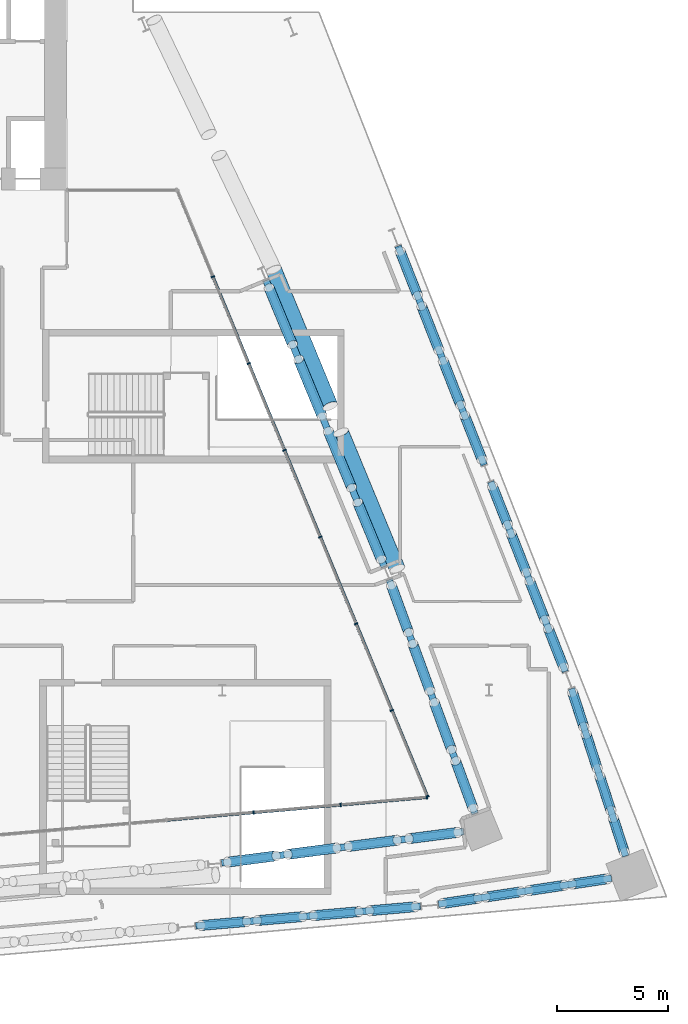
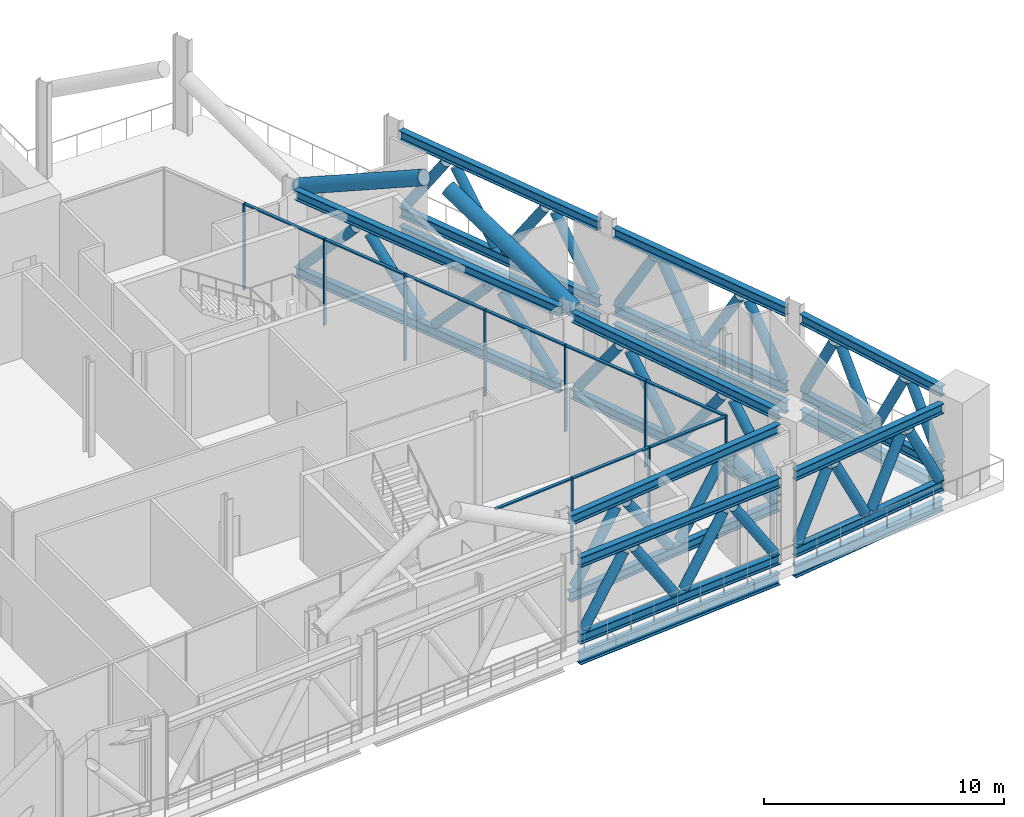
# One storey, part 12 of 42: 69 members, 5 beams, 2 elements without a shape of their own.
"""IFC4 building model written with IfcOpenShell, lengths in metres."""

from ifc_helpers import new_model, si_unit, direction, frame, origin, origin_2d, place, context, subcontext, project, spatial, rectangle, hollow_circle, i_section, extrude, material, material_profile, profile_set, type_object, element, aggregate, save


model = new_model("IFC4")

# Units and contexts
model_context = context("Model", 3, precision=1e-05, world=origin(), true_north=direction((0.0, 1.0)))
body_context = subcontext(model_context, "Body", "Model", "MODEL_VIEW")
ifc_project = project(units=[si_unit("LENGTHUNIT", "METRE"), si_unit("AREAUNIT", "SQUARE_METRE"), si_unit("VOLUMEUNIT", "CUBIC_METRE"), si_unit("PLANEANGLEUNIT", "RADIAN"), si_unit("MASSUNIT", "GRAM", prefix="KILO")], contexts=[model_context])

# Site, building, storey
site_placement = place(None, origin())
site = spatial("IfcSite", under=ifc_project, at=site_placement, CompositionType="ELEMENT")
building_placement = place(site_placement, origin())
building = spatial("IfcBuilding", under=site, at=building_placement, Name="Wharfspan Tower", CompositionType="ELEMENT")
storey_placement = place(building_placement, frame((0.0, 0.0, 147.100098)))
storey = spatial("IfcBuildingStorey", under=building, at=storey_placement, Name="L35", CompositionType="ELEMENT", Elevation=147.100098)

# Beams
ifc_material_1 = material(Name="Steel S355J2", Category="steel")
ifc_material_profile_1 = material_profile(ifc_material_1, i_section(OverallWidth=0.300049, OverallDepth=0.600098, WebThickness=0.015381, FlangeThickness=0.030029, FilletRadius=0.0271, at=origin_2d()))
ifc_profile_set_1 = profile_set([ifc_material_profile_1], Name="Steel S355J2")
beam_type = type_object("IfcBeamType", Name="Edge beam HEB 600", PredefinedType="SPANDREL", material=ifc_profile_set_1)
beam_1_placement = place(storey_placement, frame((70.805664, 0.887695, -0.75), z_axis=(0.996194, 0.087159, 0.0), x_axis=(-0.087159, 0.996194, 0.0)))
element("IfcBeam", 1, at=beam_1_placement, inside=storey, type_object=beam_type, Name="Edge beam S2 L35 PS2.2 to PS2.3", PredefinedType="SPANDREL", context=body_context, shape_type="SweptSolid", body=[
    extrude(i_section(OverallWidth=0.300049, OverallDepth=0.600098, WebThickness=0.015381, FlangeThickness=0.030029, FilletRadius=0.0271, at=origin_2d()), origin(), (0.0, 0.0, 1.0), 10.159424),
])
beam_2_placement = place(storey_placement, frame((81.727295, 1.868408, -0.75), z_axis=(0.988926, 0.148412, 0.0), x_axis=(-0.148412, 0.988926, 0.0)))
element("IfcBeam", 2, at=beam_2_placement, inside=storey, type_object=beam_type, Name="Edge beam S2 L35 PS2.3 to MC4", PredefinedType="SPANDREL", context=body_context, shape_type="SweptSolid", body=[
    extrude(i_section(OverallWidth=0.300049, OverallDepth=0.600098, WebThickness=0.015381, FlangeThickness=0.030029, FilletRadius=0.0271, at=origin_2d()), origin(), (0.0, 0.0, 1.0), 7.87793),
])
beam_3_placement = place(storey_placement, frame((90.150879, 4.02832, -0.75), z_axis=(-0.307851, 0.951434, 0.0), x_axis=(-0.951434, -0.307851, 0.0)))
element("IfcBeam", 3, at=beam_3_placement, inside=storey, type_object=beam_type, Name="Edge beam E L35 MC4 to PE.1", PredefinedType="SPANDREL", context=body_context, shape_type="SweptSolid", body=[
    extrude(i_section(OverallWidth=0.300049, OverallDepth=0.600098, WebThickness=0.015381, FlangeThickness=0.030029, FilletRadius=0.0271, at=origin_2d()), origin(), (0.0, 0.0, 1.0), 7.924805),
])
beam_4_placement = place(storey_placement, frame((87.439453, 12.327637, -0.75), z_axis=(-0.365779, 0.930702, 0.0), x_axis=(-0.930702, -0.365779, 0.0)))
element("IfcBeam", 4, at=beam_4_placement, inside=storey, type_object=beam_type, Name="Edge beam E L35 PE.1 to PE.2", PredefinedType="SPANDREL", context=body_context, shape_type="SweptSolid", body=[
    extrude(i_section(OverallWidth=0.300049, OverallDepth=0.600098, WebThickness=0.015381, FlangeThickness=0.030029, FilletRadius=0.0271, at=origin_2d()), origin(), (0.0, 0.0, 1.0), 9.184814),
])
beam_5_placement = place(storey_placement, frame((83.785156, 21.625977, -0.75), z_axis=(-0.365789, 0.930698, 0.0), x_axis=(-0.930698, -0.365789, 0.0)))
element("IfcBeam", 5, at=beam_5_placement, inside=storey, type_object=beam_type, Name="Edge beam E L35 PE.2 to PE.3", PredefinedType="SPANDREL", context=body_context, shape_type="SweptSolid", body=[
    extrude(i_section(OverallWidth=0.300049, OverallDepth=0.600098, WebThickness=0.015381, FlangeThickness=0.030029, FilletRadius=0.0271, at=origin_2d()), origin(), (0.0, 0.0, 1.0), 10.584961),
])

# Curtain wall, members
ifc_material_2 = material(Name="Aluminium 6063-T6", Category="aluminium")
curtain_wall_type = type_object("IfcCurtainWallType", Name="CURTAIN WALL BAND RECESS", PredefinedType="NOTDEFINED", material=ifc_material_2)
curtain_wall_1_placement = place(storey_placement, origin())
curtain_wall_1 = element("IfcCurtainWall", 6, at=curtain_wall_1_placement, inside=storey, type_object=curtain_wall_type, Name="Recess glazing R5", PredefinedType="NOTDEFINED")
ifc_material_profile_2 = material_profile(ifc_material_2, rectangle(XDim=0.159912, YDim=0.060059, at=origin_2d()))
ifc_profile_set_2 = profile_set([ifc_material_profile_2], Name="Aluminium 6063-T6")
member_type_1 = type_object("IfcMemberType", Name="MULLION BAND RECESS 60x160", PredefinedType="MULLION", material=ifc_profile_set_2)
member_1_placement = place(storey_placement, frame((71.578125, 30.097412, 0.0), z_axis=(0.0, 0.0, 1.0), x_axis=(0.924325, 0.381602, 0.0)))
member_1 = element("IfcMember", 7, at=member_1_placement, type_object=member_type_1, Name="Recess glazing R5 mullion 2", PredefinedType="MULLION", context=body_context, shape_type="SweptSolid", body=[
    extrude(rectangle(XDim=0.159912, YDim=0.060059, at=origin_2d()), origin(), (0.0, 0.0, 1.0), 4.399902),
])
member_2_placement = place(storey_placement, frame((73.189209, 26.19458, 0.0), z_axis=(0.0, 0.0, 1.0), x_axis=(0.924325, 0.381602, 0.0)))
member_2 = element("IfcMember", 8, at=member_2_placement, type_object=member_type_1, Name="Recess glazing R5 mullion 3", PredefinedType="MULLION", context=body_context, shape_type="SweptSolid", body=[
    extrude(rectangle(XDim=0.159912, YDim=0.060059, at=origin_2d()), origin(), (0.0, 0.0, 1.0), 4.399902),
])
member_3_placement = place(storey_placement, frame((74.800537, 22.291992, 0.0), z_axis=(0.0, 0.0, 1.0), x_axis=(0.924325, 0.381602, 0.0)))
member_3 = element("IfcMember", 9, at=member_3_placement, type_object=member_type_1, Name="Recess glazing R5 mullion 4", PredefinedType="MULLION", context=body_context, shape_type="SweptSolid", body=[
    extrude(rectangle(XDim=0.159912, YDim=0.060059, at=origin_2d()), origin(), (0.0, 0.0, 1.0), 4.399902),
])
member_4_placement = place(storey_placement, frame((76.411621, 18.389404, 0.0), z_axis=(0.0, 0.0, 1.0), x_axis=(0.924325, 0.381602, 0.0)))
member_4 = element("IfcMember", 10, at=member_4_placement, type_object=member_type_1, Name="Recess glazing R5 mullion 5", PredefinedType="MULLION", context=body_context, shape_type="SweptSolid", body=[
    extrude(rectangle(XDim=0.159912, YDim=0.060059, at=origin_2d()), origin(), (0.0, 0.0, 1.0), 4.399902),
])
member_5_placement = place(storey_placement, frame((78.022949, 14.486816, 0.0), z_axis=(0.0, 0.0, 1.0), x_axis=(0.924325, 0.381602, 0.0)))
member_5 = element("IfcMember", 11, at=member_5_placement, type_object=member_type_1, Name="Recess glazing R5 mullion 6", PredefinedType="MULLION", context=body_context, shape_type="SweptSolid", body=[
    extrude(rectangle(XDim=0.159912, YDim=0.060059, at=origin_2d()), origin(), (0.0, 0.0, 1.0), 4.399902),
])
member_6_placement = place(storey_placement, frame((79.634033, 10.583984, 0.0), z_axis=(0.0, 0.0, 1.0), x_axis=(0.924325, 0.381602, 0.0)))
member_6 = element("IfcMember", 12, at=member_6_placement, type_object=member_type_1, Name="Recess glazing R5 mullion 7", PredefinedType="MULLION", context=body_context, shape_type="SweptSolid", body=[
    extrude(rectangle(XDim=0.159912, YDim=0.060059, at=origin_2d()), origin(), (0.0, 0.0, 1.0), 4.399902),
])
member_7_placement = place(storey_placement, frame((81.233887, 6.709229, 0.0), z_axis=(0.0, 0.0, 1.0), x_axis=(0.924325, 0.381602, 0.0)))
member_7 = element("IfcMember", 13, at=member_7_placement, type_object=member_type_1, Name="Recess glazing R5 mullion 8", PredefinedType="MULLION", context=body_context, shape_type="SweptSolid", body=[
    extrude(rectangle(XDim=0.159912, YDim=0.060059, at=origin_2d()), origin(), (0.0, 0.0, 1.0), 4.399902),
])

curtain_wall_2_placement = place(storey_placement, origin())
curtain_wall_2 = element("IfcCurtainWall", 14, at=curtain_wall_2_placement, inside=storey, type_object=curtain_wall_type, Name="Recess glazing R6", PredefinedType="NOTDEFINED")
member_8_placement = place(storey_placement, frame((81.215332, 6.678711, 0.0), z_axis=(0.0, 0.0, 1.0), x_axis=(0.087156, -0.996198, 0.0)))
member_8 = element("IfcMember", 15, at=member_8_placement, type_object=member_type_1, Name="Recess glazing R6 mullion 1", PredefinedType="MULLION", context=body_context, shape_type="SweptSolid", body=[
    extrude(rectangle(XDim=0.159912, YDim=0.060059, at=origin_2d()), origin(), (0.0, 0.0, 1.0), 4.399902),
])
member_9_placement = place(storey_placement, frame((77.329102, 6.338867, 0.0), z_axis=(0.0, 0.0, 1.0), x_axis=(0.087156, -0.996198, 0.0)))
member_9 = element("IfcMember", 16, at=member_9_placement, type_object=member_type_1, Name="Recess glazing R6 mullion 2", PredefinedType="MULLION", context=body_context, shape_type="SweptSolid", body=[
    extrude(rectangle(XDim=0.159912, YDim=0.060059, at=origin_2d()), origin(), (0.0, 0.0, 1.0), 4.399902),
])
member_10_placement = place(storey_placement, frame((73.413086, 5.996094, 0.0), z_axis=(0.0, 0.0, 1.0), x_axis=(0.087156, -0.996198, 0.0)))
member_10 = element("IfcMember", 17, at=member_10_placement, type_object=member_type_1, Name="Recess glazing R6 mullion 3", PredefinedType="MULLION", context=body_context, shape_type="SweptSolid", body=[
    extrude(rectangle(XDim=0.159912, YDim=0.060059, at=origin_2d()), origin(), (0.0, 0.0, 1.0), 4.399902),
])

# Members
ifc_material_3 = material(Name="Steel S460NH", Category="steel")
ifc_material_profile_3 = material_profile(ifc_material_3, hollow_circle(Radius=0.355469, WallThickness=0.035889, at=origin_2d()))
ifc_profile_set_3 = profile_set([ifc_material_profile_3], Name="Steel S460NH")
member_type_2 = type_object("IfcMemberType", Name="Mega brace CHS 711x36", PredefinedType="BRACE", material=ifc_profile_set_3)
member_11_placement = place(storey_placement, frame((79.876465, 16.954346, 4.099854), z_axis=(-0.34204, 0.82855, 0.443298), x_axis=(-0.924336, -0.38158, -4e-06)))
element("IfcMember", 18, at=member_11_placement, inside=storey, type_object=member_type_2, Name="Mega brace E5 L36 part 1", PredefinedType="BRACE", context=body_context, shape_type="SweptSolid", body=[
    extrude(hollow_circle(Radius=0.355469, WallThickness=0.035889, at=origin_2d()), origin(), (0.0, 0.0, 1.0), 7.406982),
])
member_12_placement = place(storey_placement, frame((74.320557, 30.411865, 4.099854), z_axis=(0.342079, -0.828531, 0.443305), x_axis=(0.924316, 0.381624, -4e-06)))
element("IfcMember", 19, at=member_12_placement, inside=storey, type_object=member_type_2, Name="Mega brace E5 L36 part 3", PredefinedType="BRACE", context=body_context, shape_type="SweptSolid", body=[
    extrude(hollow_circle(Radius=0.355469, WallThickness=0.035889, at=origin_2d()), origin(), (0.0, 0.0, 1.0), 7.406738),
])

# Member
ifc_material_profile_4 = material_profile(ifc_material_2, rectangle(XDim=0.139893, YDim=0.070068, at=origin_2d()))
ifc_profile_set_4 = profile_set([ifc_material_profile_4], Name="Aluminium 6063-T6")
member_type_3 = type_object("IfcMemberType", Name="TRANSOM BAND RECESS 70x140", PredefinedType="USERDEFINED", material=ifc_profile_set_4)
member_13_placement = place(storey_placement, frame((71.5896, 30.06958, 4.36499), z_axis=(0.381623, -0.924318, 0.0), x_axis=(0.924318, 0.381623, 0.0)))
member_13 = element("IfcMember", 20, at=member_13_placement, type_object=member_type_3, Name="Recess glazing R5 transom 2", ObjectType="TRANSOM", PredefinedType="USERDEFINED", context=body_context, shape_type="SweptSolid", body=[
    extrude(rectangle(XDim=0.139893, YDim=0.070068, at=origin_2d()), origin(), (0.0, 0.0, 1.0), 4.162109),
])

member_14_placement = place(storey_placement, frame((73.200684, 26.166992, 4.36499), z_axis=(0.381623, -0.924318, 0.0), x_axis=(0.924318, 0.381623, 0.0)))
member_14 = element("IfcMember", 21, at=member_14_placement, type_object=member_type_3, Name="Recess glazing R5 transom 3", ObjectType="TRANSOM", PredefinedType="USERDEFINED", context=body_context, shape_type="SweptSolid", body=[
    extrude(rectangle(XDim=0.139893, YDim=0.070068, at=origin_2d()), origin(), (0.0, 0.0, 1.0), 4.162109),
])

member_15_placement = place(storey_placement, frame((74.812012, 22.264404, 4.36499), z_axis=(0.381573, -0.924339, 0.0), x_axis=(0.924339, 0.381573, 0.0)))
member_15 = element("IfcMember", 22, at=member_15_placement, type_object=member_type_3, Name="Recess glazing R5 transom 4", ObjectType="TRANSOM", PredefinedType="USERDEFINED", context=body_context, shape_type="SweptSolid", body=[
    extrude(rectangle(XDim=0.139893, YDim=0.070068, at=origin_2d()), origin(), (0.0, 0.0, 1.0), 4.162109),
])

member_16_placement = place(storey_placement, frame((76.423096, 18.361572, 4.36499), z_axis=(0.381623, -0.924318, 0.0), x_axis=(0.924318, 0.381623, 0.0)))
member_16 = element("IfcMember", 23, at=member_16_placement, type_object=member_type_3, Name="Recess glazing R5 transom 5", ObjectType="TRANSOM", PredefinedType="USERDEFINED", context=body_context, shape_type="SweptSolid", body=[
    extrude(rectangle(XDim=0.139893, YDim=0.070068, at=origin_2d()), origin(), (0.0, 0.0, 1.0), 4.162109),
])

member_17_placement = place(storey_placement, frame((78.034424, 14.458984, 4.36499), z_axis=(0.381573, -0.924339, 0.0), x_axis=(0.924339, 0.381573, 0.0)))
member_17 = element("IfcMember", 24, at=member_17_placement, type_object=member_type_3, Name="Recess glazing R5 transom 6", ObjectType="TRANSOM", PredefinedType="USERDEFINED", context=body_context, shape_type="SweptSolid", body=[
    extrude(rectangle(XDim=0.139893, YDim=0.070068, at=origin_2d()), origin(), (0.0, 0.0, 1.0), 4.162109),
])

member_18_placement = place(storey_placement, frame((79.645508, 10.556396, 4.36499), z_axis=(0.381605, -0.924325, 0.0), x_axis=(0.924325, 0.381605, 0.0)))
member_18 = element("IfcMember", 25, at=member_18_placement, type_object=member_type_3, Name="Recess glazing R5 transom 7", ObjectType="TRANSOM", PredefinedType="USERDEFINED", context=body_context, shape_type="SweptSolid", body=[
    extrude(rectangle(XDim=0.139893, YDim=0.070068, at=origin_2d()), origin(), (0.0, 0.0, 1.0), 4.132324),
])

aggregate(curtain_wall_1, [member_1, member_2, member_3, member_4, member_5, member_6, member_7, member_13, member_14, member_15, member_16, member_17, member_18])

member_19_placement = place(storey_placement, frame((81.185547, 6.67627, 4.36499), z_axis=(-0.996196, -0.087143, 0.0), x_axis=(0.087143, -0.996196, 0.0)))
member_19 = element("IfcMember", 26, at=member_19_placement, type_object=member_type_3, Name="Recess glazing R6 transom 1", ObjectType="TRANSOM", PredefinedType="USERDEFINED", context=body_context, shape_type="SweptSolid", body=[
    extrude(rectangle(XDim=0.139893, YDim=0.070068, at=origin_2d()), origin(), (0.0, 0.0, 1.0), 3.841064),
])

member_20_placement = place(storey_placement, frame((77.299316, 6.336182, 4.36499), z_axis=(-0.996195, -0.087158, 0.0), x_axis=(0.087158, -0.996195, 0.0)))
member_20 = element("IfcMember", 27, at=member_20_placement, type_object=member_type_3, Name="Recess glazing R6 transom 2", ObjectType="TRANSOM", PredefinedType="USERDEFINED", context=body_context, shape_type="SweptSolid", body=[
    extrude(rectangle(XDim=0.139893, YDim=0.070068, at=origin_2d()), origin(), (0.0, 0.0, 1.0), 3.871094),
])

member_21_placement = place(storey_placement, frame((73.383057, 5.993652, 4.36499), z_axis=(-0.996195, -0.087158, 0.0), x_axis=(0.087158, -0.996195, 0.0)))
member_21 = element("IfcMember", 28, at=member_21_placement, type_object=member_type_3, Name="Recess glazing R6 transom 3", ObjectType="TRANSOM", PredefinedType="USERDEFINED", context=body_context, shape_type="SweptSolid", body=[
    extrude(rectangle(XDim=0.139893, YDim=0.070068, at=origin_2d()), origin(), (0.0, 0.0, 1.0), 3.871094),
])

aggregate(curtain_wall_2, [member_8, member_9, member_10, member_19, member_20, member_21])

# Members
ifc_material_profile_5 = material_profile(ifc_material_1, i_section(OverallWidth=0.300049, OverallDepth=0.5, WebThickness=0.014404, FlangeThickness=0.028076, FilletRadius=0.0271, at=origin_2d()))
ifc_profile_set_5 = profile_set([ifc_material_profile_5], Name="Steel S355J2")
member_type_4 = type_object("IfcMemberType", Name="Truss chord HEB 500", PredefinedType="CHORD", material=ifc_profile_set_5)
for number, where, z_axis, x_axis, name in (
    (29, (71.969727, 3.724609, 4.149902), (0.991763, 0.128083, 0.0), (-0.128083, 0.991763, 0.0), "Belt truss chord T L35 S2 PS2.2 to MC4"),
    (30, (71.969727, 3.724609, 0.25), (0.991763, 0.128083, 0.0), (-0.128083, 0.991763, 0.0), "Belt truss chord B L35 S2 PS2.2 to MC4"),
):
    element("IfcMember", number, at=place(storey_placement, frame(where, z_axis=z_axis, x_axis=x_axis)), inside=storey, type_object=member_type_4, Name=name, PredefinedType="CHORD", context=body_context, shape_type="SweptSolid", body=[
        extrude(i_section(OverallWidth=0.300049, OverallDepth=0.5, WebThickness=0.014404, FlangeThickness=0.028076, FilletRadius=0.0271, at=origin_2d()), origin(), (0.0, 0.0, 1.0), 10.983154),
    ])
for number, where, z_axis, x_axis, name in (
    (31, (83.374512, 5.935547, 4.149902), (-0.343897, 0.939008, 0.0), (-0.939008, -0.343897, 0.0), "Belt truss chord T L35 E MC4 to PE.1"),
    (32, (83.374512, 5.935547, 0.25), (-0.343897, 0.939008, 0.0), (-0.939008, -0.343897, 0.0), "Belt truss chord B L35 E MC4 to PE.1"),
):
    element("IfcMember", number, at=place(storey_placement, frame(where, z_axis=z_axis, x_axis=x_axis)), inside=storey, type_object=member_type_4, Name=name, PredefinedType="CHORD", context=body_context, shape_type="SweptSolid", body=[
        extrude(i_section(OverallWidth=0.300049, OverallDepth=0.5, WebThickness=0.014404, FlangeThickness=0.028076, FilletRadius=0.0271, at=origin_2d()), origin(), (0.0, 0.0, 1.0), 11.218994),
    ])
for number, where, z_axis, x_axis, name in (
    (33, (79.291504, 17.048096, 4.149902), (-0.381605, 0.924325, 0.0), (-0.924325, -0.381605, 0.0), "Belt truss chord T L35 E PE.1 to PE.2"),
    (34, (79.291504, 17.048096, 0.25), (-0.381605, 0.924325, 0.0), (-0.924325, -0.381605, 0.0), "Belt truss chord B L35 E PE.1 to PE.2"),
):
    element("IfcMember", number, at=place(storey_placement, frame(where, z_axis=z_axis, x_axis=x_axis)), inside=storey, type_object=member_type_4, Name=name, PredefinedType="CHORD", context=body_context, shape_type="SweptSolid", body=[
        extrude(i_section(OverallWidth=0.300049, OverallDepth=0.5, WebThickness=0.014404, FlangeThickness=0.028076, FilletRadius=0.0271, at=origin_2d()), origin(), (0.0, 0.0, 1.0), 13.939453),
    ])
for number, where, z_axis, x_axis, name in (
    (35, (70.80957, 0.888184, 4.149902), (0.996195, 0.087157, 0.0), (-0.087157, 0.996195, 0.0), "Belt truss chord T L35 S2 PS2.2.S to PS2.3.S"),
    (36, (70.80957, 0.888184, 0.25), (0.996195, 0.087157, 0.0), (-0.087157, 0.996195, 0.0), "Belt truss chord B L35 S2 PS2.2.S to PS2.3.S"),
):
    element("IfcMember", number, at=place(storey_placement, frame(where, z_axis=z_axis, x_axis=x_axis)), inside=storey, type_object=member_type_4, Name=name, PredefinedType="CHORD", context=body_context, shape_type="SweptSolid", body=[
        extrude(i_section(OverallWidth=0.300049, OverallDepth=0.5, WebThickness=0.014404, FlangeThickness=0.028076, FilletRadius=0.0271, at=origin_2d()), origin(), (0.0, 0.0, 1.0), 10.151367),
    ])
for number, where, z_axis, x_axis, name in (
    (37, (81.731201, 1.868896, 4.149902), (0.988922, 0.148436, 0.0), (-0.148436, 0.988922, 0.0), "Belt truss chord T L35 S2 PS2.3.S to MC4.S"),
    (38, (81.731201, 1.868896, 0.25), (0.988922, 0.148436, 0.0), (-0.148436, 0.988922, 0.0), "Belt truss chord B L35 S2 PS2.3.S to MC4.S"),
):
    element("IfcMember", number, at=place(storey_placement, frame(where, z_axis=z_axis, x_axis=x_axis)), inside=storey, type_object=member_type_4, Name=name, PredefinedType="CHORD", context=body_context, shape_type="SweptSolid", body=[
        extrude(i_section(OverallWidth=0.300049, OverallDepth=0.5, WebThickness=0.014404, FlangeThickness=0.028076, FilletRadius=0.0271, at=origin_2d()), origin(), (0.0, 0.0, 1.0), 7.870117),
    ])
for number, where, z_axis, x_axis, name in (
    (39, (90.149658, 4.031982, 4.149902), (-0.307852, 0.951434, 0.0), (-0.951434, -0.307852, 0.0), "Belt truss chord T L35 E MC4.S to PE.1.S"),
    (40, (90.149658, 4.031982, 0.25), (-0.307852, 0.951434, 0.0), (-0.951434, -0.307852, 0.0), "Belt truss chord B L35 E MC4.S to PE.1.S"),
):
    element("IfcMember", number, at=place(storey_placement, frame(where, z_axis=z_axis, x_axis=x_axis)), inside=storey, type_object=member_type_4, Name=name, PredefinedType="CHORD", context=body_context, shape_type="SweptSolid", body=[
        extrude(i_section(OverallWidth=0.300049, OverallDepth=0.5, WebThickness=0.014404, FlangeThickness=0.028076, FilletRadius=0.0271, at=origin_2d()), origin(), (0.0, 0.0, 1.0), 7.916992),
    ])
for number, where, z_axis, x_axis, name in (
    (41, (87.437988, 12.331299, 4.149902), (-0.365783, 0.9307, 0.0), (-0.9307, -0.365783, 0.0), "Belt truss chord T L35 E PE.1.S to PE.2.S"),
    (42, (87.437988, 12.331299, 0.25), (-0.365783, 0.9307, 0.0), (-0.9307, -0.365783, 0.0), "Belt truss chord B L35 E PE.1.S to PE.2.S"),
):
    element("IfcMember", number, at=place(storey_placement, frame(where, z_axis=z_axis, x_axis=x_axis)), inside=storey, type_object=member_type_4, Name=name, PredefinedType="CHORD", context=body_context, shape_type="SweptSolid", body=[
        extrude(i_section(OverallWidth=0.300049, OverallDepth=0.5, WebThickness=0.014404, FlangeThickness=0.028076, FilletRadius=0.0271, at=origin_2d()), origin(), (0.0, 0.0, 1.0), 9.176758),
    ])
for number, where, z_axis, x_axis, name in (
    (43, (83.783691, 21.629883, 4.149902), (-0.365792, 0.930696, 0.0), (-0.930696, -0.365792, 0.0), "Belt truss chord T L35 E PE.2.S to PE.3.S"),
    (44, (83.783691, 21.629883, 0.25), (-0.365792, 0.930696, 0.0), (-0.930696, -0.365792, 0.0), "Belt truss chord B L35 E PE.2.S to PE.3.S"),
):
    element("IfcMember", number, at=place(storey_placement, frame(where, z_axis=z_axis, x_axis=x_axis)), inside=storey, type_object=member_type_4, Name=name, PredefinedType="CHORD", context=body_context, shape_type="SweptSolid", body=[
        extrude(i_section(OverallWidth=0.300049, OverallDepth=0.5, WebThickness=0.014404, FlangeThickness=0.028076, FilletRadius=0.0271, at=origin_2d()), origin(), (0.0, 0.0, 1.0), 10.57666),
    ])
ifc_material_profile_6 = material_profile(ifc_material_3, hollow_circle(Radius=0.228516, WallThickness=0.016113, at=origin_2d()))
ifc_profile_set_6 = profile_set([ifc_material_profile_6], Name="Steel S460NH")
member_type_5 = type_object("IfcMemberType", Name="Truss diagonal CHS 457x16", PredefinedType="BRACE", material=ifc_profile_set_6)
for number, where, z_axis, x_axis, name in (
    (45, (72.236084, 3.759033, 0.631348), (0.570907, 0.073694, 0.8177), (-0.128024, 0.991768, 3e-06), "Belt truss diagonal L35 S2 PS2.2 to MC4 1"),
    (46, (74.959229, 4.110596, 3.768311), (0.570948, 0.073755, -0.817667), (-0.128117, 0.991761, -1e-06), "Belt truss diagonal L35 S2 PS2.2 to MC4 2"),
    (47, (77.682373, 4.462402, 0.631348), (0.57095, 0.073692, 0.817671), (-0.128004, 0.99177, -2e-06), "Belt truss diagonal L35 S2 PS2.2 to MC4 3"),
    (48, (80.405518, 4.813965, 3.768311), (0.570948, 0.073755, -0.817667), (-0.128117, 0.991761, -1e-06), "Belt truss diagonal L35 S2 PS2.2 to MC4 4"),
):
    element("IfcMember", number, at=place(storey_placement, frame(where, z_axis=z_axis, x_axis=x_axis)), inside=storey, type_object=member_type_5, Name=name, PredefinedType="BRACE", context=body_context, shape_type="SweptSolid", body=[
        extrude(hollow_circle(Radius=0.228516, WallThickness=0.016113, at=origin_2d()), origin(), (0.0, 0.0, 1.0), 3.836426),
    ])
for number, where, z_axis, x_axis, name in (
    (49, (83.279541, 6.19458, 0.633301), (-0.200727, 0.548219, 0.81189), (-0.939038, -0.34382, -2e-06), "Belt truss diagonal L35 E MC4 to PE.1 1"),
    (50, (82.315186, 8.828125, 3.766602), (-0.20078, 0.548256, -0.811851), (-0.939016, -0.343881, 1e-06), "Belt truss diagonal L35 E MC4 to PE.1 2"),
    (51, (81.350586, 11.461914, 0.633301), (-0.200787, 0.548212, 0.81188), (-0.938998, -0.343914, -1e-06), "Belt truss diagonal L35 E MC4 to PE.1 3"),
    (52, (80.38623, 14.095459, 3.766602), (-0.20078, 0.548256, -0.811851), (-0.939016, -0.343881, 1e-06), "Belt truss diagonal L35 E MC4 to PE.1 4"),
):
    element("IfcMember", number, at=place(storey_placement, frame(where, z_axis=z_axis, x_axis=x_axis)), inside=storey, type_object=member_type_5, Name=name, PredefinedType="BRACE", context=body_context, shape_type="SweptSolid", body=[
        extrude(hollow_circle(Radius=0.228516, WallThickness=0.016113, at=origin_2d()), origin(), (0.0, 0.0, 1.0), 3.859375),
    ])
for number, where, z_axis, x_axis, name in (
    (53, (79.154297, 17.380371, 0.6521), (-0.254247, 0.615885, 0.745684), (-0.924335, -0.38158, 0.0), "Belt truss diagonal L35 E PE.1 to PE.2 1"),
    (54, (77.824463, 20.601562, 3.747559), (-0.254247, 0.615885, -0.745684), (-0.924335, -0.38158, 0.0), "Belt truss diagonal L35 E PE.1 to PE.2 2"),
    (55, (76.494629, 23.822754, 0.6521), (-0.254247, 0.615885, 0.745684), (-0.924335, -0.38158, 0.0), "Belt truss diagonal L35 E PE.1 to PE.2 3"),
):
    element("IfcMember", number, at=place(storey_placement, frame(where, z_axis=z_axis, x_axis=x_axis)), inside=storey, type_object=member_type_5, Name=name, PredefinedType="BRACE", context=body_context, shape_type="SweptSolid", body=[
        extrude(hollow_circle(Radius=0.228516, WallThickness=0.016113, at=origin_2d()), origin(), (0.0, 0.0, 1.0), 4.151123),
    ])
member_22_placement = place(storey_placement, frame((75.164795, 27.043701, 3.747559), z_axis=(-0.254237, 0.615921, -0.745657), x_axis=(-0.924346, -0.381546, 1e-06)))
element("IfcMember", 56, at=member_22_placement, inside=storey, type_object=member_type_5, Name="Belt truss diagonal L35 E PE.1 to PE.2 4", PredefinedType="BRACE", context=body_context, shape_type="SweptSolid", body=[
    extrude(hollow_circle(Radius=0.228516, WallThickness=0.016113, at=origin_2d()), origin(), (0.0, 0.0, 1.0), 4.151367),
])
for number, where, z_axis, x_axis, name in (
    (57, (71.05249, 0.909424, 0.624512), (0.543326, 0.047539, 0.838175), (-0.087163, 0.996191, 0.0), "Belt truss diagonal L35 S2 PS2.2.S to PS2.3.S 1"),
    (58, (73.580566, 1.130615, 3.775391), (0.543326, 0.047539, -0.838175), (-0.087163, 0.996191, 0.0), "Belt truss diagonal L35 S2 PS2.2.S to PS2.3.S 2"),
    (59, (76.108887, 1.351807, 0.624512), (0.543326, 0.047539, 0.838175), (-0.087163, 0.996191, 0.0), "Belt truss diagonal L35 S2 PS2.2.S to PS2.3.S 3"),
    (60, (78.637207, 1.572998, 3.775391), (0.543326, 0.047539, -0.838175), (-0.087163, 0.996191, 0.0), "Belt truss diagonal L35 S2 PS2.2.S to PS2.3.S 4"),
):
    element("IfcMember", number, at=place(storey_placement, frame(where, z_axis=z_axis, x_axis=x_axis)), inside=storey, type_object=member_type_5, Name=name, PredefinedType="BRACE", context=body_context, shape_type="SweptSolid", body=[
        extrude(hollow_circle(Radius=0.228516, WallThickness=0.016113, at=origin_2d()), origin(), (0.0, 0.0, 1.0), 3.759277),
    ])
for number, where, z_axis, x_axis, name in (
    (61, (81.907227, 1.895264, 0.602783), (0.445421, 0.066878, 0.89282), (-0.148485, 0.988913, 2e-06), "Belt truss diagonal L35 S2 PS2.3.S to MC4.S 1"),
    (62, (83.853027, 2.187256, 3.796875), (0.445421, 0.066878, -0.89282), (-0.148485, 0.988913, -2e-06), "Belt truss diagonal L35 S2 PS2.3.S to MC4.S 2"),
    (63, (85.798584, 2.479492, 0.602783), (0.445477, 0.066808, 0.892797), (-0.148307, 0.988941, -2e-06), "Belt truss diagonal L35 S2 PS2.3.S to MC4.S 3"),
):
    element("IfcMember", number, at=place(storey_placement, frame(where, z_axis=z_axis, x_axis=x_axis)), inside=storey, type_object=member_type_5, Name=name, PredefinedType="BRACE", context=body_context, shape_type="SweptSolid", body=[
        extrude(hollow_circle(Radius=0.228516, WallThickness=0.016113, at=origin_2d()), origin(), (0.0, 0.0, 1.0), 3.577637),
    ])
member_23_placement = place(storey_placement, frame((87.744385, 2.771484, 3.796875), z_axis=(0.445423, 0.06681, -0.892824), x_axis=(-0.148329, 0.988938, 2e-06)))
element("IfcMember", 64, at=member_23_placement, inside=storey, type_object=member_type_5, Name="Belt truss diagonal L35 S2 PS2.3.S to MC4.S 4", PredefinedType="BRACE", context=body_context, shape_type="SweptSolid", body=[
    extrude(hollow_circle(Radius=0.228516, WallThickness=0.016113, at=origin_2d()), origin(), (0.0, 0.0, 1.0), 3.577393),
])
for number, where, z_axis, x_axis, name in (
    (65, (90.094482, 4.202637, 0.603271), (-0.139362, 0.430562, 0.891737), (-0.951406, -0.307946, 0.0), "Belt truss diagonal L35 E MC4.S to PE.1.S 1"),
    (66, (89.485107, 6.085693, 3.796387), (-0.139291, 0.430622, -0.891719), (-0.951461, -0.307764, 0.0), "Belt truss diagonal L35 E MC4.S to PE.1.S 2"),
    (67, (88.875732, 7.968994, 0.603271), (-0.139295, 0.430566, 0.891745), (-0.951449, -0.307809, 0.0), "Belt truss diagonal L35 E MC4.S to PE.1.S 3"),
    (68, (88.266602, 9.852051, 3.796387), (-0.139362, 0.430562, -0.891737), (-0.951406, -0.307946, 0.0), "Belt truss diagonal L35 E MC4.S to PE.1.S 4"),
):
    element("IfcMember", number, at=place(storey_placement, frame(where, z_axis=z_axis, x_axis=x_axis)), inside=storey, type_object=member_type_5, Name=name, PredefinedType="BRACE", context=body_context, shape_type="SweptSolid", body=[
        extrude(hollow_circle(Radius=0.228516, WallThickness=0.016113, at=origin_2d()), origin(), (0.0, 0.0, 1.0), 3.580811),
    ])
for number, where, z_axis, x_axis, name in (
    (69, (87.359375, 12.531494, 0.615723), (-0.185443, 0.471909, 0.861924), (-0.930715, -0.365737, 0.0), "Belt truss diagonal L35 E PE.1.S to PE.2.S 1"),
    (70, (86.520264, 14.666748, 3.783936), (-0.185507, 0.471904, -0.861913), (-0.930677, -0.365854, -1e-06), "Belt truss diagonal L35 E PE.1.S to PE.2.S 2"),
    (71, (85.680908, 16.802002, 0.615723), (-0.185443, 0.471909, 0.861924), (-0.930715, -0.365737, 0.0), "Belt truss diagonal L35 E PE.1.S to PE.2.S 3"),
    (72, (84.841797, 18.937256, 3.783936), (-0.185443, 0.471909, -0.861924), (-0.930715, -0.365737, 0.0), "Belt truss diagonal L35 E PE.1.S to PE.2.S 4"),
):
    element("IfcMember", number, at=place(storey_placement, frame(where, z_axis=z_axis, x_axis=x_axis)), inside=storey, type_object=member_type_5, Name=name, PredefinedType="BRACE", context=body_context, shape_type="SweptSolid", body=[
        extrude(hollow_circle(Radius=0.228516, WallThickness=0.016113, at=origin_2d()), origin(), (0.0, 0.0, 1.0), 3.675781),
    ])
member_24_placement = place(storey_placement, frame((83.689941, 21.868408, 0.628174), z_axis=(-0.205314, 0.522285, 0.827686), x_axis=(-0.930676, -0.365857, 1e-06)))
element("IfcMember", 73, at=member_24_placement, inside=storey, type_object=member_type_5, Name="Belt truss diagonal L35 E PE.2.S to PE.3.S 1", PredefinedType="BRACE", context=body_context, shape_type="SweptSolid", body=[
    extrude(hollow_circle(Radius=0.228516, WallThickness=0.016113, at=origin_2d()), origin(), (0.0, 0.0, 1.0), 3.798096),
])
for number, where, z_axis, x_axis, name in (
    (74, (82.722656, 24.329346, 3.771729), (-0.205253, 0.522292, -0.827697), (-0.930715, -0.365754, 2e-06), "Belt truss diagonal L35 E PE.2.S to PE.3.S 2"),
    (75, (81.755371, 26.790283, 0.628174), (-0.205253, 0.522292, 0.827697), (-0.930715, -0.365754, -2e-06), "Belt truss diagonal L35 E PE.2.S to PE.3.S 3"),
):
    element("IfcMember", number, at=place(storey_placement, frame(where, z_axis=z_axis, x_axis=x_axis)), inside=storey, type_object=member_type_5, Name=name, PredefinedType="BRACE", context=body_context, shape_type="SweptSolid", body=[
        extrude(hollow_circle(Radius=0.228516, WallThickness=0.016113, at=origin_2d()), origin(), (0.0, 0.0, 1.0), 3.797852),
    ])
member_25_placement = place(storey_placement, frame((80.78833, 29.251465, 3.771729), z_axis=(-0.205314, 0.522285, -0.827686), x_axis=(-0.930676, -0.365857, -1e-06)))
element("IfcMember", 76, at=member_25_placement, inside=storey, type_object=member_type_5, Name="Belt truss diagonal L35 E PE.2.S to PE.3.S 4", PredefinedType="BRACE", context=body_context, shape_type="SweptSolid", body=[
    extrude(hollow_circle(Radius=0.228516, WallThickness=0.016113, at=origin_2d()), origin(), (0.0, 0.0, 1.0), 3.798096),
])

save(model, "model.ifc")
